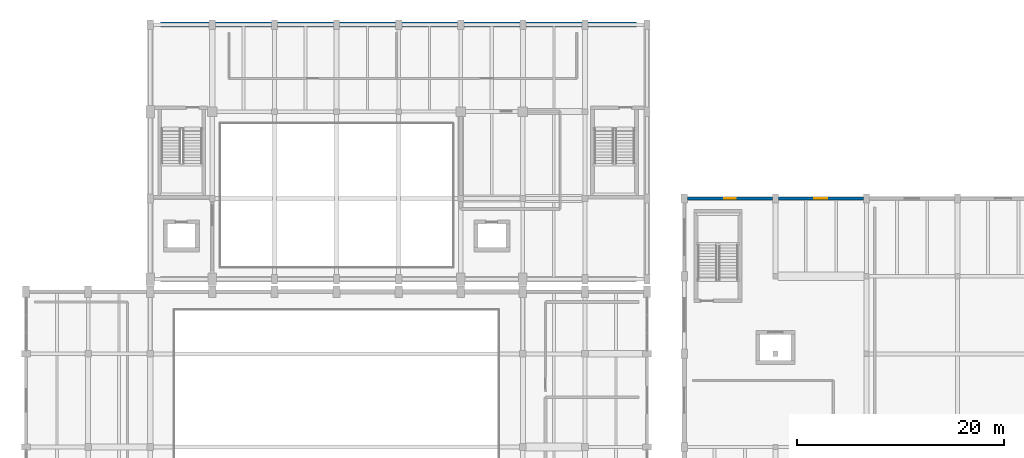
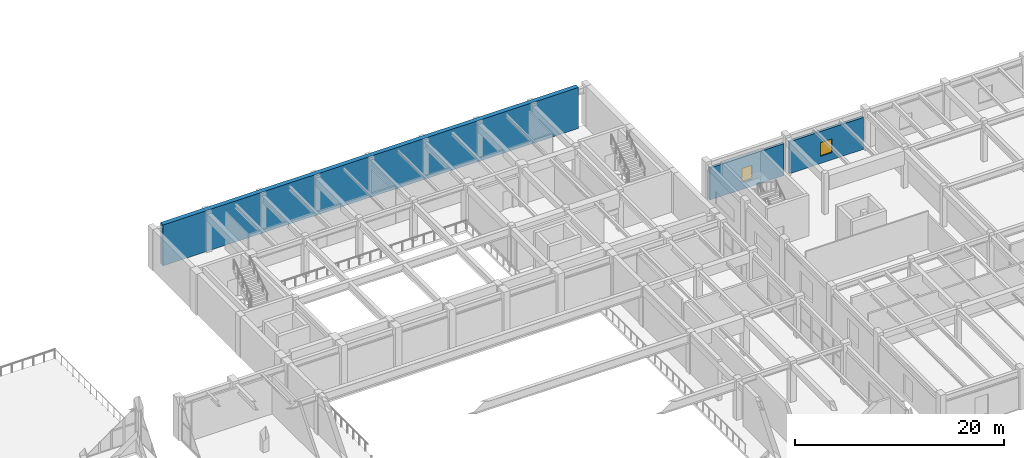
# One storey, part 62 of 80: 3 walls, 2 windows, 2 openings.
"""IFC4 building model written with IfcOpenShell, lengths in metres."""

import ifcopenshell
import ifcopenshell.guid

model = None  # the IFC model being written
_history = None  # IfcOwnerHistory: only IFC2X3 demands one
_inside = {}  # id of a spatial element -> (the spatial element, [elements in it])
_under = {}  # id of a project, library or spatial element -> (it, [spatial elements below it])
_declared = {}  # id of a project -> (the project, [libraries it declares])
_typed = {}  # id of a type object -> (the type object, [elements of that type])
_made_of = {}  # id of a material, layer set ... -> (it, [elements and type objects made of it])


def new_model(schema):
    """Start an empty IFC model of exactly this schema.

    Asked for "IFC4X3", IfcOpenShell would pick the latest addendum, in which some entities
    have other attributes; the version numbers below select the first issue.
    IFC2X3 requires an IfcOwnerHistory on every rooted entity: one is made here for all.
    """
    global model, _history
    if schema == "IFC4X3":
        model = ifcopenshell.file(schema_version=(4, 3, 0, 0))
    else:
        model = ifcopenshell.file(schema=schema)
    _inside.clear()
    _under.clear()
    _declared.clear()
    _typed.clear()
    _made_of.clear()
    _history = None
    if model.schema == "IFC2X3":
        org = make("IfcOrganization", Name="unknown")
        user = make(
            "IfcPersonAndOrganization",
            ThePerson=make("IfcPerson", FamilyName="unknown"),
            TheOrganization=org,
        )
        app = make(
            "IfcApplication",
            ApplicationDeveloper=org,
            Version="unknown",
            ApplicationFullName="unknown",
            ApplicationIdentifier="unknown",
        )
        _history = make(
            "IfcOwnerHistory",
            OwningUser=user,
            OwningApplication=app,
            ChangeAction="ADDED",
            CreationDate=0,
        )
    return model


def make(cls, **values):
    """One entity of the class cls with the attributes given. An attribute that is None is left unset."""
    return model.create_entity(
        cls, **{name: value for name, value in values.items() if value is not None}
    )


def rooted(cls, **values):
    """An entity with a GlobalId (a new one), such as an element, a storey or a relation."""
    return make(cls, GlobalId=ifcopenshell.guid.new(), OwnerHistory=_history, **values)


def si_unit(unit_type, name, prefix=None):
    """IfcSIUnit, for example si_unit("LENGTHUNIT", "METRE", prefix="MILLI")."""
    return make("IfcSIUnit", UnitType=unit_type, Prefix=prefix, Name=name)


def assignment(units):
    """IfcUnitAssignment: the units of a project."""
    return None if units is None else make("IfcUnitAssignment", Units=units)


def point(xyz):
    """IfcCartesianPoint."""
    return None if xyz is None else make("IfcCartesianPoint", Coordinates=xyz)


def direction(xyz):
    """IfcDirection."""
    return None if xyz is None else make("IfcDirection", DirectionRatios=xyz)


def frame(location, z_axis=None, x_axis=None):
    """IfcAxis2Placement3D, a coordinate frame: its origin and axes. An axis left out is left unset."""
    return make(
        "IfcAxis2Placement3D",
        Location=point(location),
        Axis=direction(z_axis),
        RefDirection=direction(x_axis),
    )


def frame_2d(location, x_axis=None):
    """IfcAxis2Placement2D, a coordinate frame in the plane: its origin and x axis."""
    return make(
        "IfcAxis2Placement2D", Location=point(location), RefDirection=direction(x_axis)
    )


def origin():
    """The frame at (0, 0, 0) with its axes left unset."""
    return frame((0.0, 0.0, 0.0))


def place(relative_to, where):
    """IfcLocalPlacement: puts the frame where relative to a parent placement (None: the world)."""
    return make(
        "IfcLocalPlacement", PlacementRelTo=relative_to, RelativePlacement=where
    )


def context(
    kind, dimensions, precision=None, world=None, true_north=None, identifier=None
):
    """IfcGeometricRepresentationContext, for example the 3D "Model" context."""
    return make(
        "IfcGeometricRepresentationContext",
        ContextIdentifier=identifier,
        ContextType=kind,
        CoordinateSpaceDimension=dimensions,
        Precision=precision,
        WorldCoordinateSystem=world,
        TrueNorth=true_north,
    )


def subcontext(parent, identifier, kind, view, scale=None):
    """IfcGeometricRepresentationSubContext, for example "Body" below "Model"."""
    return make(
        "IfcGeometricRepresentationSubContext",
        ContextIdentifier=identifier,
        ContextType=kind,
        ParentContext=parent,
        TargetScale=scale,
        TargetView=view,
    )


def project(units=None, contexts=None):
    """IfcProject with its units and contexts."""
    return rooted(
        "IfcProject",
        Name="project",
        RepresentationContexts=contexts,
        UnitsInContext=assignment(units),
    )


def spatial(cls, under=None, at=None, **own):
    """A site, building, storey or space (cls), placed at a placement, below another one or the project."""
    s = rooted(cls, ObjectPlacement=at, **own)
    if under is not None:
        _under.setdefault(under.id(), (under, []))[1].append(s)
    return s


def profile(cls, at=None, kind="AREA", **sizes):
    """A parametric profile (cls). Its sizes go by their IFC names, for example OverallWidth=200.0."""
    return make(cls, ProfileType=kind, Position=at, **sizes)


def rectangle(**sizes):
    """IfcRectangleProfileDef."""
    return profile("IfcRectangleProfileDef", **sizes)


def extrude(swept, where, along, depth):
    """IfcExtrudedAreaSolid: the profile swept, set in the frame where, extruded along a direction by depth."""
    return make(
        "IfcExtrudedAreaSolid",
        SweptArea=swept,
        Position=where,
        ExtrudedDirection=direction(along),
        Depth=depth,
    )


def shape(context_of_items, identifier, shape_type, items):
    """IfcShapeRepresentation: the items that make up one representation, for example the "Body"."""
    return make(
        "IfcShapeRepresentation",
        ContextOfItems=context_of_items,
        RepresentationIdentifier=identifier,
        RepresentationType=shape_type,
        Items=items,
    )


def material(Name=None, Category=None):
    """IfcMaterial."""
    return make("IfcMaterial", Name=Name, Category=Category)


def layer(
    of_material, thickness, ventilated=None, Name=None, Category=None, Priority=None
):
    """IfcMaterialLayer: one layer of a wall or slab, of a material (None: an air gap)."""
    return make(
        "IfcMaterialLayer",
        Material=of_material,
        LayerThickness=thickness,
        IsVentilated=ventilated,
        Name=Name,
        Category=Category,
        Priority=Priority,
    )


def layer_set(layers, Name=None):
    """IfcMaterialLayerSet."""
    return make("IfcMaterialLayerSet", MaterialLayers=layers, LayerSetName=Name)


def made_of(thing, what):
    """Note that an element or type object is made of a material, layer set ...; save() writes the relation."""
    if what is not None:
        _made_of.setdefault(what.id(), (what, []))[1].append(thing)
    return thing


def type_object(cls, material=None, **own):
    """A type object (cls), such as IfcWallType, which elements share."""
    return made_of(rooted(cls, **own), material)


def element(
    cls,
    number,
    at=None,
    inside=None,
    cuts=None,
    type_object=None,
    material=None,
    context=None,
    identifier="Body",
    shape_type=None,
    held_by="IfcProductDefinitionShape",
    body=None,
    shapes=None,
    **own,
):
    """One element of the class cls, such as IfcWall. Its Tag is "e" and its number.

    at: its placement. inside: the storey or other place that contains it. cuts: it is an
    opening in that element (IfcRelVoidsElement). A single representation is given by context,
    identifier, shape_type and body (its items); several are given by shapes. held_by: the class
    of the entity that holds the representations. save() writes the other relations.
    """
    e = rooted(cls, Tag="e%d" % number, ObjectPlacement=at, **own)
    if body is not None:
        shapes = [shape(context, identifier, shape_type, body)]
    if shapes is not None:
        e.Representation = make(held_by, Representations=shapes)
    if inside is not None:
        _inside.setdefault(inside.id(), (inside, []))[1].append(e)
    if cuts is not None:
        rooted(
            "IfcRelVoidsElement", RelatingBuildingElement=cuts, RelatedOpeningElement=e
        )
    if type_object is not None:
        _typed.setdefault(type_object.id(), (type_object, []))[1].append(e)
    return made_of(e, material)


def fill(opening, filler):
    """IfcRelFillsElement: the door or window that sits in an opening."""
    return rooted(
        "IfcRelFillsElement",
        RelatingOpeningElement=opening,
        RelatedBuildingElement=filler,
    )


def aggregate(whole, parts):
    """IfcRelAggregates: a whole, such as a stair, and the parts it consists of."""
    return rooted("IfcRelAggregates", RelatingObject=whole, RelatedObjects=parts)


def save(model, path):
    """Write the relations noted so far, then the file.

    IfcRelAggregates (storeys below a building ...), IfcRelContainedInSpatialStructure (elements
    in a storey), IfcRelDefinesByType, IfcRelAssociatesMaterial and IfcRelDeclares: one each for
    every whole, place, type object, material and project.
    """
    for whole, parts in _under.values():
        aggregate(whole, parts)
    for where, things in _inside.values():
        rooted(
            "IfcRelContainedInSpatialStructure",
            RelatedElements=things,
            RelatingStructure=where,
        )
    for kind, things in _typed.values():
        rooted("IfcRelDefinesByType", RelatedObjects=things, RelatingType=kind)
    for what, things in _made_of.values():
        rooted("IfcRelAssociatesMaterial", RelatedObjects=things, RelatingMaterial=what)
    for by, libraries in _declared.values():
        rooted("IfcRelDeclares", RelatingContext=by, RelatedDefinitions=libraries)
    model.write(path)


model = new_model("IFC4")

# Units and contexts
model_context = context("Model", 3, precision=1e-05, world=origin(), true_north=direction((0.0, 1.0)))
body_context = subcontext(model_context, "Body", "Model", "MODEL_VIEW")
ifc_project = project(units=[si_unit("LENGTHUNIT", "METRE"), si_unit("AREAUNIT", "SQUARE_METRE"), si_unit("VOLUMEUNIT", "CUBIC_METRE"), si_unit("PLANEANGLEUNIT", "RADIAN"), si_unit("MASSUNIT", "GRAM", prefix="KILO")], contexts=[model_context])

# Site, building, storey
site_placement = place(None, origin())
site = spatial("IfcSite", under=ifc_project, at=site_placement, CompositionType="ELEMENT")
building_placement = place(site_placement, origin())
building = spatial("IfcBuilding", under=site, at=building_placement, Name="Vaelkrest Opera House", CompositionType="ELEMENT")
storey_placement = place(building_placement, frame((0.0, 0.0, 15.0)))
storey = spatial("IfcBuildingStorey", under=building, at=storey_placement, Name="L03", CompositionType="ELEMENT", Elevation=15.0)

# Wall, opening, window
ifc_material_1 = material(Name="Douglas fir glulam GL28h", Category="wood")
ifc_layer_1 = layer(ifc_material_1, 0.27490234375)
ifc_layer_set_1 = layer_set([ifc_layer_1], Name="Douglas fir glulam GL28h")
wall_type_1 = type_object("IfcWallType", Name="EW02", PredefinedType="STANDARD", material=ifc_layer_set_1)
wall_1_placement = place(storey_placement, frame((33.89794921875, 25.199951171875, 0.0), z_axis=(0.0, 0.0, 1.0), x_axis=(1.0, 0.0, 0.0)))
wall_1 = element("IfcWall", 1, at=wall_1_placement, inside=storey, type_object=wall_type_1, Name="Exterior facade wall EW-V4-L03-0272", PredefinedType="STANDARD", context=body_context, shape_type="SweptSolid", body=[
    extrude(rectangle(XDim=8.2041015625, YDim=0.27490234375, at=frame_2d((4.10205078125, 0.0))), origin(), (0.0, 0.0, 1.0), 3.7451171875),
])
opening_1_placement = place(wall_1_placement, frame((3.552001953125, 0.0, 0.85009765625)))
opening_1 = element("IfcOpeningElement", 2, at=opening_1_placement, cuts=wall_1, Name="Opening WN157", PredefinedType="OPENING", context=body_context, shape_type="SweptSolid", body=[
    extrude(rectangle(XDim=1.10009765625, YDim=1.60009765625, at=frame_2d((0.550048828125, 0.800048828125))), frame((0.0, 0.1474609375, 0.0), z_axis=(0.0, -1.0, 0.0), x_axis=(1.0, 0.0, 0.0)), (0.0, 0.0, 1.0), 0.294921875),
])
ifc_material_2 = material(Name="Double low-E insulated glazing", Category="glass")
window_type_1 = type_object("IfcWindowType", Name="WT01", PartitioningType="SINGLE_PANEL", PredefinedType="WINDOW", material=ifc_material_2)
window_1_placement = place(opening_1_placement, origin())
window_1 = element("IfcWindow", 3, at=window_1_placement, inside=storey, type_object=window_type_1, Name="Facade window WN157", OverallHeight=1.60009765625, OverallWidth=1.10009765625, PartitioningType="SINGLE_PANEL", PredefinedType="WINDOW", context=body_context, shape_type="SweptSolid", body=[
    extrude(rectangle(XDim=1.10009765625, YDim=1.60009765625, at=frame_2d((0.550048828125, 0.800048828125))), frame((0.0, 0.030029296875, 0.0), z_axis=(0.0, -1.0, 0.0), x_axis=(1.0, 0.0, 0.0)), (0.0, 0.0, 1.0), 0.06005859375),
])
fill(opening_1, window_1)

ifc_layer_2 = layer(ifc_material_1, 0.294921875)
ifc_layer_set_2 = layer_set([ifc_layer_2], Name="Douglas fir glulam GL28h")
wall_type_2 = type_object("IfcWallType", Name="EW03", PredefinedType="STANDARD", material=ifc_layer_set_2)
wall_2_placement = place(storey_placement, frame((42.697998046875, 25.199951171875, 0.0), z_axis=(0.0, 0.0, 1.0), x_axis=(1.0, 0.0, 0.0)))
wall_2 = element("IfcWall", 4, at=wall_2_placement, inside=storey, type_object=wall_type_2, Name="Exterior facade wall EW-V4-L03-0273", PredefinedType="STANDARD", context=body_context, shape_type="SweptSolid", body=[
    extrude(rectangle(XDim=8.2041015625, YDim=0.294921875, at=frame_2d((4.10205078125, 0.0))), origin(), (0.0, 0.0, 1.0), 3.7451171875),
])
opening_2_placement = place(wall_2_placement, frame((3.47705078125, 0.0, 0.85009765625)))
opening_2 = element("IfcOpeningElement", 5, at=opening_2_placement, cuts=wall_2, Name="Opening WN158", PredefinedType="OPENING", context=body_context, shape_type="SweptSolid", body=[
    extrude(rectangle(XDim=1.25, YDim=1.60009765625, at=frame_2d((0.625, 0.800048828125))), frame((0.0, 0.157470703125, 0.0), z_axis=(0.0, -1.0, 0.0), x_axis=(1.0, 0.0, 0.0)), (0.0, 0.0, 1.0), 0.31494140625),
])
window_type_2 = type_object("IfcWindowType", Name="WT02", PartitioningType="SINGLE_PANEL", PredefinedType="WINDOW", material=ifc_material_2)
window_2_placement = place(opening_2_placement, origin())
window_2 = element("IfcWindow", 6, at=window_2_placement, inside=storey, type_object=window_type_2, Name="Facade window WN158", OverallHeight=1.60009765625, OverallWidth=1.25, PartitioningType="SINGLE_PANEL", PredefinedType="WINDOW", context=body_context, shape_type="SweptSolid", body=[
    extrude(rectangle(XDim=1.25, YDim=1.60009765625, at=frame_2d((0.625, 0.800048828125))), frame((0.0, 0.030029296875, 0.0), z_axis=(0.0, -1.0, 0.0), x_axis=(1.0, 0.0, 0.0)), (0.0, 0.0, 1.0), 0.06005859375),
])
fill(opening_2, window_2)

# Wall
ifc_material_3 = material(Name="Concrete C50/60", Category="concrete")
ifc_layer_3 = layer(ifc_material_3, 0.5)
ifc_layer_set_3 = layer_set([ifc_layer_3], Name="Concrete C50/60")
wall_type_3 = type_object("IfcWallType", Name="SW05", PredefinedType="SHEAR", material=ifc_layer_set_3)
wall_3_placement = place(storey_placement, frame((-17.0, 42.0, 0.0), z_axis=(0.0, 0.0, 1.0), x_axis=(1.0, 0.0, 0.0)))
element("IfcWall", 7, at=wall_3_placement, inside=storey, type_object=wall_type_3, Name="Fly tower north shear wall L03", PredefinedType="SHEAR", context=body_context, shape_type="SweptSolid", body=[
    extrude(rectangle(XDim=46.0, YDim=0.5, at=frame_2d((23.0, 0.0))), origin(), (0.0, 0.0, 1.0), 4.800048828125),
])

save(model, "model.ifc")
